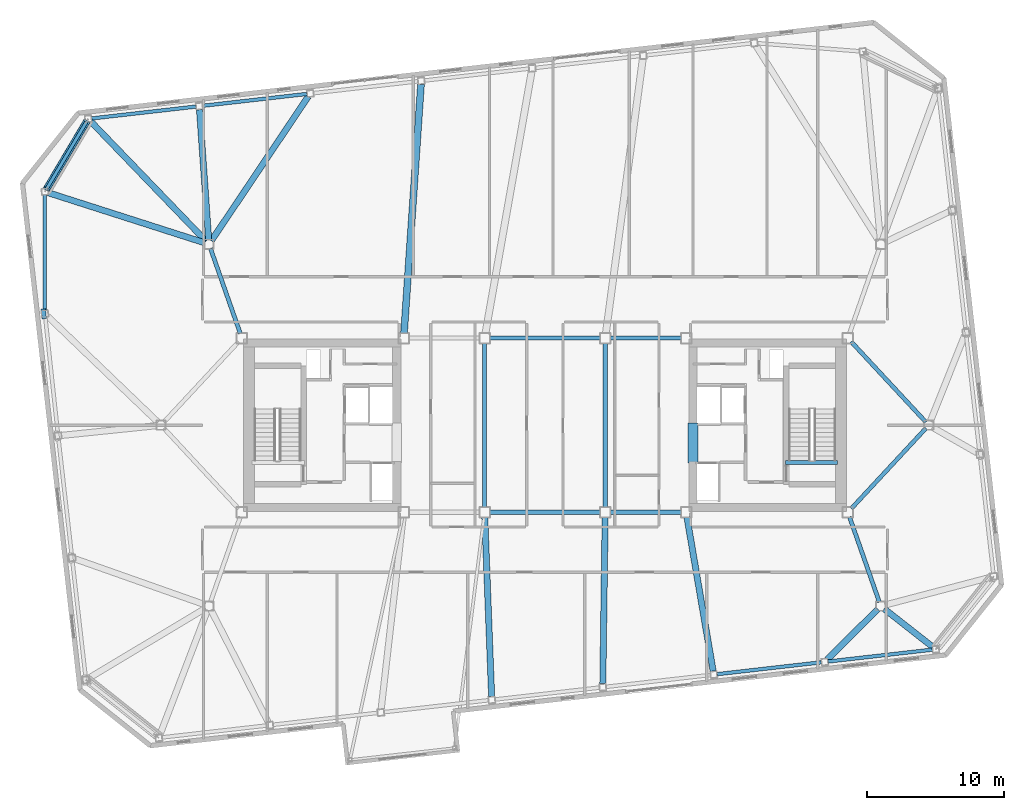
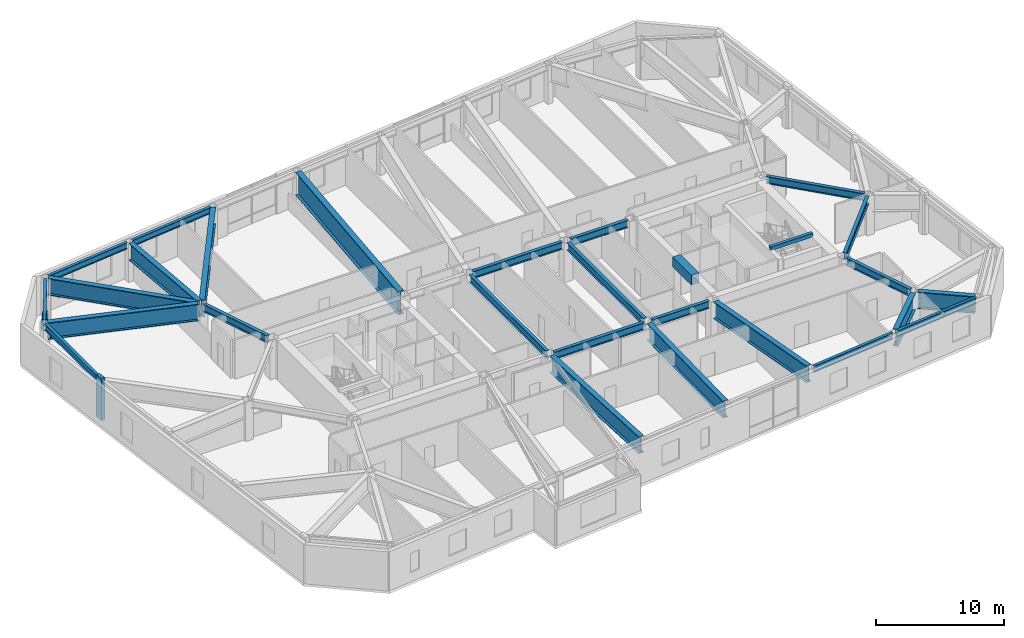
# One storey, part 6 of 18: 28 beams, 2 members.
"""IFC4 building model written with IfcOpenShell, lengths in metres."""

import ifcopenshell
import ifcopenshell.guid

model = None  # the IFC model being written
_history = None  # IfcOwnerHistory: only IFC2X3 demands one
_inside = {}  # id of a spatial element -> (the spatial element, [elements in it])
_under = {}  # id of a project, library or spatial element -> (it, [spatial elements below it])
_declared = {}  # id of a project -> (the project, [libraries it declares])
_typed = {}  # id of a type object -> (the type object, [elements of that type])
_made_of = {}  # id of a material, layer set ... -> (it, [elements and type objects made of it])


def new_model(schema):
    """Start an empty IFC model of exactly this schema.

    Asked for "IFC4X3", IfcOpenShell would pick the latest addendum, in which some entities
    have other attributes; the version numbers below select the first issue.
    IFC2X3 requires an IfcOwnerHistory on every rooted entity: one is made here for all.
    """
    global model, _history
    if schema == "IFC4X3":
        model = ifcopenshell.file(schema_version=(4, 3, 0, 0))
    else:
        model = ifcopenshell.file(schema=schema)
    _inside.clear()
    _under.clear()
    _declared.clear()
    _typed.clear()
    _made_of.clear()
    _history = None
    if model.schema == "IFC2X3":
        org = make("IfcOrganization", Name="unknown")
        user = make(
            "IfcPersonAndOrganization",
            ThePerson=make("IfcPerson", FamilyName="unknown"),
            TheOrganization=org,
        )
        app = make(
            "IfcApplication",
            ApplicationDeveloper=org,
            Version="unknown",
            ApplicationFullName="unknown",
            ApplicationIdentifier="unknown",
        )
        _history = make(
            "IfcOwnerHistory",
            OwningUser=user,
            OwningApplication=app,
            ChangeAction="ADDED",
            CreationDate=0,
        )
    return model


def make(cls, **values):
    """One entity of the class cls with the attributes given. An attribute that is None is left unset."""
    return model.create_entity(
        cls, **{name: value for name, value in values.items() if value is not None}
    )


def rooted(cls, **values):
    """An entity with a GlobalId (a new one), such as an element, a storey or a relation."""
    return make(cls, GlobalId=ifcopenshell.guid.new(), OwnerHistory=_history, **values)


def si_unit(unit_type, name, prefix=None):
    """IfcSIUnit, for example si_unit("LENGTHUNIT", "METRE", prefix="MILLI")."""
    return make("IfcSIUnit", UnitType=unit_type, Prefix=prefix, Name=name)


def assignment(units):
    """IfcUnitAssignment: the units of a project."""
    return None if units is None else make("IfcUnitAssignment", Units=units)


def point(xyz):
    """IfcCartesianPoint."""
    return None if xyz is None else make("IfcCartesianPoint", Coordinates=xyz)


def direction(xyz):
    """IfcDirection."""
    return None if xyz is None else make("IfcDirection", DirectionRatios=xyz)


def frame(location, z_axis=None, x_axis=None):
    """IfcAxis2Placement3D, a coordinate frame: its origin and axes. An axis left out is left unset."""
    return make(
        "IfcAxis2Placement3D",
        Location=point(location),
        Axis=direction(z_axis),
        RefDirection=direction(x_axis),
    )


def frame_2d(location, x_axis=None):
    """IfcAxis2Placement2D, a coordinate frame in the plane: its origin and x axis."""
    return make(
        "IfcAxis2Placement2D", Location=point(location), RefDirection=direction(x_axis)
    )


def origin():
    """The frame at (0, 0, 0) with its axes left unset."""
    return frame((0.0, 0.0, 0.0))


def origin_2d():
    """The frame at (0, 0) in the plane with its x axis left unset."""
    return frame_2d((0.0, 0.0))


def place(relative_to, where):
    """IfcLocalPlacement: puts the frame where relative to a parent placement (None: the world)."""
    return make(
        "IfcLocalPlacement", PlacementRelTo=relative_to, RelativePlacement=where
    )


def context(
    kind, dimensions, precision=None, world=None, true_north=None, identifier=None
):
    """IfcGeometricRepresentationContext, for example the 3D "Model" context."""
    return make(
        "IfcGeometricRepresentationContext",
        ContextIdentifier=identifier,
        ContextType=kind,
        CoordinateSpaceDimension=dimensions,
        Precision=precision,
        WorldCoordinateSystem=world,
        TrueNorth=true_north,
    )


def subcontext(parent, identifier, kind, view, scale=None):
    """IfcGeometricRepresentationSubContext, for example "Body" below "Model"."""
    return make(
        "IfcGeometricRepresentationSubContext",
        ContextIdentifier=identifier,
        ContextType=kind,
        ParentContext=parent,
        TargetScale=scale,
        TargetView=view,
    )


def project(units=None, contexts=None):
    """IfcProject with its units and contexts."""
    return rooted(
        "IfcProject",
        Name="project",
        RepresentationContexts=contexts,
        UnitsInContext=assignment(units),
    )


def spatial(cls, under=None, at=None, **own):
    """A site, building, storey or space (cls), placed at a placement, below another one or the project."""
    s = rooted(cls, ObjectPlacement=at, **own)
    if under is not None:
        _under.setdefault(under.id(), (under, []))[1].append(s)
    return s


def profile(cls, at=None, kind="AREA", **sizes):
    """A parametric profile (cls). Its sizes go by their IFC names, for example OverallWidth=200.0."""
    return make(cls, ProfileType=kind, Position=at, **sizes)


def rectangle(**sizes):
    """IfcRectangleProfileDef."""
    return profile("IfcRectangleProfileDef", **sizes)


def hollow_circle(**sizes):
    """IfcCircleHollowProfileDef."""
    return profile("IfcCircleHollowProfileDef", **sizes)


def i_section(**sizes):
    """IfcIShapeProfileDef."""
    return profile("IfcIShapeProfileDef", **sizes)


def extrude(swept, where, along, depth):
    """IfcExtrudedAreaSolid: the profile swept, set in the frame where, extruded along a direction by depth."""
    return make(
        "IfcExtrudedAreaSolid",
        SweptArea=swept,
        Position=where,
        ExtrudedDirection=direction(along),
        Depth=depth,
    )


def shape(context_of_items, identifier, shape_type, items):
    """IfcShapeRepresentation: the items that make up one representation, for example the "Body"."""
    return make(
        "IfcShapeRepresentation",
        ContextOfItems=context_of_items,
        RepresentationIdentifier=identifier,
        RepresentationType=shape_type,
        Items=items,
    )


def material(Name=None, Category=None):
    """IfcMaterial."""
    return make("IfcMaterial", Name=Name, Category=Category)


def material_profile(
    of_material, cross_section, Name=None, Category=None, Priority=None
):
    """IfcMaterialProfile: a cross section and its material."""
    return make(
        "IfcMaterialProfile",
        Name=Name,
        Material=of_material,
        Profile=cross_section,
        Priority=Priority,
        Category=Category,
    )


def profile_set(profiles, Name=None, composite=None):
    """IfcMaterialProfileSet."""
    return make(
        "IfcMaterialProfileSet",
        Name=Name,
        MaterialProfiles=profiles,
        CompositeProfile=composite,
    )


def made_of(thing, what):
    """Note that an element or type object is made of a material, layer set ...; save() writes the relation."""
    if what is not None:
        _made_of.setdefault(what.id(), (what, []))[1].append(thing)
    return thing


def type_object(cls, material=None, **own):
    """A type object (cls), such as IfcWallType, which elements share."""
    return made_of(rooted(cls, **own), material)


def element(
    cls,
    number,
    at=None,
    inside=None,
    cuts=None,
    type_object=None,
    material=None,
    context=None,
    identifier="Body",
    shape_type=None,
    held_by="IfcProductDefinitionShape",
    body=None,
    shapes=None,
    **own,
):
    """One element of the class cls, such as IfcWall. Its Tag is "e" and its number.

    at: its placement. inside: the storey or other place that contains it. cuts: it is an
    opening in that element (IfcRelVoidsElement). A single representation is given by context,
    identifier, shape_type and body (its items); several are given by shapes. held_by: the class
    of the entity that holds the representations. save() writes the other relations.
    """
    e = rooted(cls, Tag="e%d" % number, ObjectPlacement=at, **own)
    if body is not None:
        shapes = [shape(context, identifier, shape_type, body)]
    if shapes is not None:
        e.Representation = make(held_by, Representations=shapes)
    if inside is not None:
        _inside.setdefault(inside.id(), (inside, []))[1].append(e)
    if cuts is not None:
        rooted(
            "IfcRelVoidsElement", RelatingBuildingElement=cuts, RelatedOpeningElement=e
        )
    if type_object is not None:
        _typed.setdefault(type_object.id(), (type_object, []))[1].append(e)
    return made_of(e, material)


def aggregate(whole, parts):
    """IfcRelAggregates: a whole, such as a stair, and the parts it consists of."""
    return rooted("IfcRelAggregates", RelatingObject=whole, RelatedObjects=parts)


def save(model, path):
    """Write the relations noted so far, then the file.

    IfcRelAggregates (storeys below a building ...), IfcRelContainedInSpatialStructure (elements
    in a storey), IfcRelDefinesByType, IfcRelAssociatesMaterial and IfcRelDeclares: one each for
    every whole, place, type object, material and project.
    """
    for whole, parts in _under.values():
        aggregate(whole, parts)
    for where, things in _inside.values():
        rooted(
            "IfcRelContainedInSpatialStructure",
            RelatedElements=things,
            RelatingStructure=where,
        )
    for kind, things in _typed.values():
        rooted("IfcRelDefinesByType", RelatedObjects=things, RelatingType=kind)
    for what, things in _made_of.values():
        rooted("IfcRelAssociatesMaterial", RelatedObjects=things, RelatingMaterial=what)
    for by, libraries in _declared.values():
        rooted("IfcRelDeclares", RelatingContext=by, RelatedDefinitions=libraries)
    model.write(path)


model = new_model("IFC4")

# Units and contexts
model_context = context("Model", 3, precision=1e-05, world=origin(), true_north=direction((0.0, 1.0)))
body_context = subcontext(model_context, "Body", "Model", "MODEL_VIEW")
ifc_project = project(units=[si_unit("LENGTHUNIT", "METRE"), si_unit("AREAUNIT", "SQUARE_METRE"), si_unit("VOLUMEUNIT", "CUBIC_METRE"), si_unit("PLANEANGLEUNIT", "RADIAN"), si_unit("MASSUNIT", "GRAM", prefix="KILO")], contexts=[model_context])

# Site, building, storey
site_placement = place(None, origin())
site = spatial("IfcSite", under=ifc_project, at=site_placement, CompositionType="ELEMENT")
building_placement = place(site_placement, origin())
building = spatial("IfcBuilding", under=site, at=building_placement, Name="Tavrogorsk Clinical Tower", CompositionType="ELEMENT")
storey_placement = place(building_placement, frame((0.0, 0.0, 226.199951171875)))
storey = spatial("IfcBuildingStorey", under=building, at=storey_placement, Name="L52", CompositionType="ELEMENT", Elevation=226.199951171875)

# Beam
ifc_material_1 = material(Name="Concrete B80", Category="concrete")
ifc_material_profile_1 = material_profile(ifc_material_1, rectangle(XDim=0.699951171875, YDim=0.949951171875, at=origin_2d()), Name="RC-CB-700x950")
ifc_profile_set_1 = profile_set([ifc_material_profile_1], Name="Concrete B80")
beam_type_1 = type_object("IfcBeamType", Name="CouplingBeam_RC700x950", PredefinedType="LINTEL", material=ifc_profile_set_1)
beam_1_placement = place(storey_placement, frame((10.800048828125, -2.75, 3.26513671875), z_axis=(0.0, 1.0, 0.0), x_axis=(-1.0, 0.0, 0.0)))
element("IfcBeam", 1, at=beam_1_placement, inside=storey, type_object=beam_type_1, Name="L52 Core East Coupling Beam", PredefinedType="LINTEL", context=body_context, shape_type="SweptSolid", body=[
    extrude(rectangle(XDim=0.699951171875, YDim=0.949951171875, at=origin_2d()), origin(), (0.0, 0.0, 1.0), 2.89990234375),
])

# Members
ifc_material_2 = material(Name="Structural steel S440", Category="steel")
ifc_material_profile_2 = material_profile(ifc_material_2, hollow_circle(Radius=0.25390625, WallThickness=0.02001953125, at=origin_2d()), Name="CHS-508x20")
ifc_profile_set_2 = profile_set([ifc_material_profile_2], Name="Structural steel S440")
member_type_1 = type_object("IfcMemberType", Name="ExoBrace_CHS508", PredefinedType="BRACE", material=ifc_profile_set_2)
member_1_placement = place(storey_placement, frame((-33.428955078125, 22.143310546875, 0.40625), z_axis=(-0.466115044739, -0.783286774864, 0.411337566228), x_axis=(0.859354157364, -0.511380907173, 0.0)))
element("IfcMember", 2, at=member_1_placement, inside=storey, type_object=member_type_1, Name="L52 Corner Exoskeleton Brace N8-W1", PredefinedType="BRACE", context=body_context, shape_type="SweptSolid", body=[
    extrude(hollow_circle(Radius=0.25390625, WallThickness=0.02001953125, at=origin_2d()), origin(), (0.0, 0.0, 1.0), 6.266357421875),
])
ifc_material_3 = material(Name="Precast concrete B45 with limestone cladding", Category="masonry")
ifc_material_profile_3 = material_profile(ifc_material_3, rectangle(XDim=0.320068359375, YDim=0.719970703125, at=origin_2d()), Name="LIMESTONE-FIN-320x720")
ifc_profile_set_3 = profile_set([ifc_material_profile_3], Name="Precast concrete B45 with limestone cladding")
member_type_2 = type_object("IfcMemberType", Name="LimestonePleatFin_320x720", PredefinedType="USERDEFINED", material=ifc_profile_set_3)
member_2_placement = place(storey_placement, frame((-36.549560546875, 8.121337890625, 0.0), z_axis=(0.0, 0.0, 1.0), x_axis=(0.993571855677, 0.113203213768, 0.0)))
element("IfcMember", 3, at=member_2_placement, inside=storey, type_object=member_type_2, Name="L52 W Pleated Stone Fin 1", ObjectType="FIN", PredefinedType="USERDEFINED", context=body_context, shape_type="SweptSolid", body=[
    extrude(rectangle(XDim=0.320068359375, YDim=0.719970703125, at=origin_2d()), origin(), (0.0, 0.0, 1.0), 4.0),
])

# Beams
ifc_material_4 = material(Name="Structural steel S390", Category="steel")
ifc_material_profile_4 = material_profile(ifc_material_4, i_section(OverallWidth=0.300048828125, OverallDepth=0.699951171875, WebThickness=0.01708984375, FlangeThickness=0.028076171875, at=origin_2d()), Name="B-700x300x17x28")
ifc_profile_set_4 = profile_set([ifc_material_profile_4], Name="Structural steel S390")
beam_type_2 = type_object("IfcBeamType", Name="PrimaryGirder_B700", PredefinedType="USERDEFINED", material=ifc_profile_set_4)
for number, where, z_axis, x_axis, name in (
    (4, (-4.0400390625, -6.35009765625, 3.39013671875), (1.0, 0.0, 0.0), (0.0, 1.0, 0.0), "L52 Primary Spine Girder MG-03"),
    (5, (-4.0400390625, 6.35009765625, 3.39013671875), (1.0, 0.0, 0.0), (0.0, 1.0, 0.0), "L52 Primary Spine Girder MG-04"),
):
    element("IfcBeam", number, at=place(storey_placement, frame(where, z_axis=z_axis, x_axis=x_axis)), inside=storey, type_object=beam_type_2, Name=name, ObjectType="GIRDER", PredefinedType="USERDEFINED", context=body_context, shape_type="SweptSolid", body=[
        extrude(i_section(OverallWidth=0.300048828125, OverallDepth=0.699951171875, WebThickness=0.01708984375, FlangeThickness=0.028076171875, at=origin_2d()), origin(), (0.0, 0.0, 1.0), 8.080078125),
    ])
for number, where, z_axis, x_axis, name in (
    (6, (4.760009765625, -6.35009765625, 3.39013671875), (1.0, 0.0, 0.0), (0.0, 1.0, 0.0), "L52 Primary Spine Girder MG-05"),
    (7, (4.760009765625, 6.35009765625, 3.39013671875), (1.0, 0.0, 0.0), (0.0, 1.0, 0.0), "L52 Primary Spine Girder MG-06"),
):
    element("IfcBeam", number, at=place(storey_placement, frame(where, z_axis=z_axis, x_axis=x_axis)), inside=storey, type_object=beam_type_2, Name=name, ObjectType="GIRDER", PredefinedType="USERDEFINED", context=body_context, shape_type="SweptSolid", body=[
        extrude(i_section(OverallWidth=0.300048828125, OverallDepth=0.699951171875, WebThickness=0.01708984375, FlangeThickness=0.028076171875, at=origin_2d()), origin(), (0.0, 0.0, 1.0), 5.179931640625),
    ])
for number, where, z_axis, x_axis, name in (
    (8, (-4.39990234375, -5.989990234375, 3.39013671875), (0.0, 1.0, 0.0), (-1.0, 0.0, 0.0), "L52 Primary Spine Girder MG-07"),
    (9, (4.39990234375, -5.989990234375, 3.39013671875), (0.0, 1.0, 0.0), (-1.0, 0.0, 0.0), "L52 Primary Spine Girder MG-08"),
):
    element("IfcBeam", number, at=place(storey_placement, frame(where, z_axis=z_axis, x_axis=x_axis)), inside=storey, type_object=beam_type_2, Name=name, ObjectType="GIRDER", PredefinedType="USERDEFINED", context=body_context, shape_type="SweptSolid", body=[
        extrude(i_section(OverallWidth=0.300048828125, OverallDepth=0.699951171875, WebThickness=0.01708984375, FlangeThickness=0.028076171875, at=origin_2d()), origin(), (0.0, 0.0, 1.0), 11.97998046875),
    ])
for number, where, z_axis, x_axis, name in (
    (10, (24.3974609375, -12.907470703125, 3.39013671875), (-0.330654121425, 0.943752007672, 0.0), (-0.943752007672, -0.330654121425, 0.0), "L52 Spine Link Girder OPG-2"),
    (11, (-24.3974609375, 12.907470703125, 3.39013671875), (0.330654121425, -0.943752007672, 0.0), (0.943752007672, 0.330654121425, 0.0), "L52 Spine Link Girder OPG-3"),
):
    element("IfcBeam", number, at=place(storey_placement, frame(where, z_axis=z_axis, x_axis=x_axis)), inside=storey, type_object=beam_type_2, Name=name, ObjectType="GIRDER", PredefinedType="USERDEFINED", context=body_context, shape_type="SweptSolid", body=[
        extrude(i_section(OverallWidth=0.300048828125, OverallDepth=0.699951171875, WebThickness=0.01708984375, FlangeThickness=0.028076171875, at=origin_2d()), origin(), (0.0, 0.0, 1.0), 6.58837890625),
    ])
for number, where, z_axis, x_axis, name in (
    (12, (27.7890625, -0.22705078125, 3.39013671875), (-0.680684060959, -0.732577101168, 0.0), (0.732577101168, -0.680684060959, 0.0), "L52 Spine Link Girder OPG-7"),
    (13, (27.7890625, 0.22705078125, 3.39013671875), (-0.680684060959, 0.732577101168, 0.0), (-0.732577101168, -0.680684060959, 0.0), "L52 Spine Link Girder OPG-8"),
):
    element("IfcBeam", number, at=place(storey_placement, frame(where, z_axis=z_axis, x_axis=x_axis)), inside=storey, type_object=beam_type_2, Name=name, ObjectType="GIRDER", PredefinedType="USERDEFINED", context=body_context, shape_type="SweptSolid", body=[
        extrude(i_section(OverallWidth=0.300048828125, OverallDepth=0.699951171875, WebThickness=0.01708984375, FlangeThickness=0.028076171875, at=origin_2d()), origin(), (0.0, 0.0, 1.0), 7.998046875),
    ])
ifc_material_5 = material(Name="Structural steel S390", Category="steel")
ifc_material_profile_5 = material_profile(ifc_material_5, i_section(OverallWidth=0.260009765625, OverallDepth=0.60009765625, WebThickness=0.014892578125, FlangeThickness=0.02392578125, at=origin_2d()), Name="B-600x260x15x24")
ifc_profile_set_5 = profile_set([ifc_material_profile_5], Name="Structural steel S390")
beam_type_3 = type_object("IfcBeamType", Name="SpandrelBeam_B600", PredefinedType="SPANDREL", material=ifc_profile_set_5)
beam_2_placement = place(storey_placement, frame((12.57275390625, -18.1611328125, 3.43994140625), z_axis=(0.993571689921, 0.113204668576, 0.0), x_axis=(-0.113204668576, 0.993571689921, 0.0)))
element("IfcBeam", 14, at=beam_2_placement, inside=storey, type_object=beam_type_3, Name="L52 Perimeter Spandrel S6-S7", PredefinedType="SPANDREL", context=body_context, shape_type="SweptSolid", body=[
    extrude(i_section(OverallWidth=0.260009765625, OverallDepth=0.60009765625, WebThickness=0.014892578125, FlangeThickness=0.02392578125, at=origin_2d()), origin(), (0.0, 0.0, 1.0), 7.63232421875),
])
for number, where, z_axis, x_axis, name in (
    (15, (20.668701171875, -17.238525390625, 3.43994140625), (0.993572099834, 0.113201070804, 0.0), (-0.113201070804, 0.993572099834, 0.0), "L52 Perimeter Spandrel S7-S8"),
    (16, (-17.37255859375, 24.1611328125, 3.43994140625), (-0.993572099834, -0.113201070804, 0.0), (0.113201070804, -0.993572099834, 0.0), "L52 Perimeter Spandrel N6-N7"),
    (17, (-25.46875, 23.238525390625, 3.43994140625), (-0.993572099834, -0.113201070804, 0.0), (0.113201070804, -0.993572099834, 0.0), "L52 Perimeter Spandrel N7-N8"),
):
    element("IfcBeam", number, at=place(storey_placement, frame(where, z_axis=z_axis, x_axis=x_axis)), inside=storey, type_object=beam_type_3, Name=name, PredefinedType="SPANDREL", context=body_context, shape_type="SweptSolid", body=[
        extrude(i_section(OverallWidth=0.260009765625, OverallDepth=0.60009765625, WebThickness=0.014892578125, FlangeThickness=0.02392578125, at=origin_2d()), origin(), (0.0, 0.0, 1.0), 7.632568359375),
    ])
beam_3_placement = place(storey_placement, frame((-33.4404296875, 22.123779296875, 3.43994140625), z_axis=(-0.51140659222, -0.859338872293, 0.0), x_axis=(0.859338872293, -0.51140659222, 0.0)))
element("IfcBeam", 18, at=beam_3_placement, inside=storey, type_object=beam_type_3, Name="L52 Perimeter Spandrel N8-W1", PredefinedType="SPANDREL", context=body_context, shape_type="SweptSolid", body=[
    extrude(i_section(OverallWidth=0.260009765625, OverallDepth=0.60009765625, WebThickness=0.014892578125, FlangeThickness=0.02392578125, at=origin_2d()), origin(), (0.0, 0.0, 1.0), 5.666259765625),
])
beam_4_placement = place(storey_placement, frame((-36.469970703125, 16.77490234375, 3.43994140625), z_axis=(0.0, -1.0, 0.0), x_axis=(1.0, 0.0, 0.0)))
element("IfcBeam", 19, at=beam_4_placement, inside=storey, type_object=beam_type_3, Name="L52 Perimeter Spandrel W1-W2", PredefinedType="SPANDREL", context=body_context, shape_type="SweptSolid", body=[
    extrude(i_section(OverallWidth=0.260009765625, OverallDepth=0.60009765625, WebThickness=0.014892578125, FlangeThickness=0.02392578125, at=origin_2d()), origin(), (0.0, 0.0, 1.0), 8.386474609375),
])
ifc_material_6 = material(Name="Concrete B60", Category="concrete")
ifc_material_profile_6 = material_profile(ifc_material_6, rectangle(XDim=0.300048828125, YDim=0.35009765625, at=origin_2d()), Name="RC-SHB-300x350")
ifc_profile_set_6 = profile_set([ifc_material_profile_6], Name="Concrete B60")
beam_type_4 = type_object("IfcBeamType", Name="StairHeaderBeam_RC300x350", PredefinedType="BEAM", material=ifc_profile_set_6)
beam_5_placement = place(storey_placement, frame((17.550048828125, -2.719970703125, 3.824951171875), z_axis=(1.0, 0.0, 0.0), x_axis=(0.0, 1.0, 0.0)))
element("IfcBeam", 20, at=beam_5_placement, inside=storey, type_object=beam_type_4, Name="L53 ST-E Landing Header Beam", PredefinedType="BEAM", context=body_context, shape_type="SweptSolid", body=[
    extrude(rectangle(XDim=0.300048828125, YDim=0.35009765625, at=origin_2d()), origin(), (0.0, 0.0, 1.0), 3.800048828125),
])
ifc_material_7 = material(Name="Structural steel S440", Category="steel")
ifc_material_profile_7 = material_profile(ifc_material_7, i_section(OverallWidth=0.449951171875, OverallDepth=1.60009765625, WebThickness=0.031982421875, FlangeThickness=0.050048828125, at=origin_2d()), Name="DK-1600x450x32x50")
ifc_profile_set_7 = profile_set([ifc_material_profile_7], Name="Structural steel S440")
beam_type_5 = type_object("IfcBeamType", Name="TransferGirder_DK1600", PredefinedType="USERDEFINED", material=ifc_profile_set_7)
beam_6_placement = place(storey_placement, frame((-4.38623046875, -6.709716796875, 2.93994140625), z_axis=(0.038253158264, -0.999268080088, 0.0), x_axis=(0.999268080088, 0.038253158264, 0.0)))
element("IfcBeam", 21, at=beam_6_placement, inside=storey, type_object=beam_type_5, Name="L52 Radial Floor Beam S4", ObjectType="GIRDER", PredefinedType="USERDEFINED", context=body_context, shape_type="SweptSolid", body=[
    extrude(i_section(OverallWidth=0.449951171875, OverallDepth=1.60009765625, WebThickness=0.031982421875, FlangeThickness=0.050048828125, at=origin_2d()), origin(), (0.0, 0.0, 1.0), 13.0771484375),
])
beam_7_placement = place(storey_placement, frame((4.39501953125, -6.7099609375, 2.93994140625), z_axis=(-0.014110566079, -0.999900441006, 0.0), x_axis=(0.999900441006, -0.014110566079, 0.0)))
element("IfcBeam", 22, at=beam_7_placement, inside=storey, type_object=beam_type_5, Name="L52 Radial Floor Beam S5", ObjectType="GIRDER", PredefinedType="USERDEFINED", context=body_context, shape_type="SweptSolid", body=[
    extrude(i_section(OverallWidth=0.449951171875, OverallDepth=1.60009765625, WebThickness=0.031982421875, FlangeThickness=0.050048828125, at=origin_2d()), origin(), (0.0, 0.0, 1.0), 12.14599609375),
])
beam_8_placement = place(storey_placement, frame((10.3603515625, -6.704833984375, 2.93994140625), z_axis=(0.167876447446, -0.98580804338, 0.0), x_axis=(0.98580804338, 0.167876447446, 0.0)))
element("IfcBeam", 23, at=beam_8_placement, inside=storey, type_object=beam_type_5, Name="L52 Radial Floor Beam S6", ObjectType="GIRDER", PredefinedType="USERDEFINED", context=body_context, shape_type="SweptSolid", body=[
    extrude(i_section(OverallWidth=0.449951171875, OverallDepth=1.60009765625, WebThickness=0.031982421875, FlangeThickness=0.050048828125, at=origin_2d()), origin(), (0.0, 0.0, 1.0), 11.392822265625),
])
beam_9_placement = place(storey_placement, frame((24.2802734375, -13.418701171875, 2.93994140625), z_axis=(-0.708842234901, -0.705367057652, 0.0), x_axis=(0.705367057652, -0.708842234901, 0.0)))
element("IfcBeam", 24, at=beam_9_placement, inside=storey, type_object=beam_type_5, Name="L52 Radial Floor Beam S7", ObjectType="GIRDER", PredefinedType="USERDEFINED", context=body_context, shape_type="SweptSolid", body=[
    extrude(i_section(OverallWidth=0.449951171875, OverallDepth=1.60009765625, WebThickness=0.031982421875, FlangeThickness=0.050048828125, at=origin_2d()), origin(), (0.0, 0.0, 1.0), 5.19873046875),
])
beam_10_placement = place(storey_placement, frame((24.743896484375, -13.391357421875, 2.93994140625), z_axis=(0.786731711527, -0.617295078611, 0.0), x_axis=(0.617295078611, 0.786731711527, 0.0)))
element("IfcBeam", 25, at=beam_10_placement, inside=storey, type_object=beam_type_5, Name="L52 Radial Floor Beam S8", ObjectType="GIRDER", PredefinedType="USERDEFINED", context=body_context, shape_type="SweptSolid", body=[
    extrude(i_section(OverallWidth=0.449951171875, OverallDepth=1.60009765625, WebThickness=0.031982421875, FlangeThickness=0.050048828125, at=origin_2d()), origin(), (0.0, 0.0, 1.0), 4.52734375),
])
beam_11_placement = place(storey_placement, frame((-24.3271484375, 13.457275390625, 2.93994140625), z_axis=(0.557666552953, 0.830065067159, 0.0), x_axis=(-0.830065067159, 0.557666552953, 0.0)))
element("IfcBeam", 26, at=beam_11_placement, inside=storey, type_object=beam_type_5, Name="L52 Radial Floor Beam N6", ObjectType="GIRDER", PredefinedType="USERDEFINED", context=body_context, shape_type="SweptSolid", body=[
    extrude(i_section(OverallWidth=0.449951171875, OverallDepth=1.60009765625, WebThickness=0.031982421875, FlangeThickness=0.050048828125, at=origin_2d()), origin(), (0.0, 0.0, 1.0), 12.67236328125),
])
beam_12_placement = place(storey_placement, frame((-24.52197265625, 13.50927734375, 2.93994140625), z_axis=(-0.070563956086, 0.997507257167, 0.0), x_axis=(-0.997507257167, -0.070563956086, 0.0)))
element("IfcBeam", 27, at=beam_12_placement, inside=storey, type_object=beam_type_5, Name="L52 Radial Floor Beam N7", ObjectType="GIRDER", PredefinedType="USERDEFINED", context=body_context, shape_type="SweptSolid", body=[
    extrude(i_section(OverallWidth=0.449951171875, OverallDepth=1.60009765625, WebThickness=0.031982421875, FlangeThickness=0.050048828125, at=origin_2d()), origin(), (0.0, 0.0, 1.0), 9.52490234375),
])
beam_13_placement = place(storey_placement, frame((-24.715087890625, 13.42333984375, 2.93994140625), z_axis=(-0.69371826835, 0.720246460704, 0.0), x_axis=(-0.720246460704, -0.69371826835, 0.0)))
element("IfcBeam", 28, at=beam_13_placement, inside=storey, type_object=beam_type_5, Name="L52 Radial Floor Beam N8", ObjectType="GIRDER", PredefinedType="USERDEFINED", context=body_context, shape_type="SweptSolid", body=[
    extrude(i_section(OverallWidth=0.449951171875, OverallDepth=1.60009765625, WebThickness=0.031982421875, FlangeThickness=0.050048828125, at=origin_2d()), origin(), (0.0, 0.0, 1.0), 12.129638671875),
])
beam_14_placement = place(storey_placement, frame((-24.795166015625, 13.29443359375, 2.93994140625), z_axis=(-0.952367912824, 0.304951403709, 0.0), x_axis=(-0.304951403709, -0.952367912824, 0.0)))
element("IfcBeam", 29, at=beam_14_placement, inside=storey, type_object=beam_type_5, Name="L52 Radial Floor Beam W1", ObjectType="GIRDER", PredefinedType="USERDEFINED", context=body_context, shape_type="SweptSolid", body=[
    extrude(i_section(OverallWidth=0.449951171875, OverallDepth=1.60009765625, WebThickness=0.031982421875, FlangeThickness=0.050048828125, at=origin_2d()), origin(), (0.0, 0.0, 1.0), 12.000732421875),
])
ifc_material_8 = material(Name="Structural steel S440", Category="steel")
ifc_material_profile_8 = material_profile(ifc_material_8, i_section(OverallWidth=0.5, OverallDepth=2.199951171875, WebThickness=0.035888671875, FlangeThickness=0.054931640625, at=origin_2d()), Name="DK-2200x500x36x55")
ifc_profile_set_8 = profile_set([ifc_material_profile_8], Name="Structural steel S440")
beam_type_6 = type_object("IfcBeamType", Name="TransferGirder_DK2200", PredefinedType="USERDEFINED", material=ifc_profile_set_8)
beam_15_placement = place(storey_placement, frame((-10.275390625, 6.709228515625, 2.64013671875), z_axis=(0.068054861188, 0.9976815804, 0.0), x_axis=(-0.9976815804, 0.068054861188, 0.0)))
element("IfcBeam", 30, at=beam_15_placement, inside=storey, type_object=beam_type_6, Name="L52 Radial Floor Beam N5", ObjectType="GIRDER", PredefinedType="USERDEFINED", context=body_context, shape_type="SweptSolid", body=[
    extrude(i_section(OverallWidth=0.5, OverallDepth=2.199951171875, WebThickness=0.035888671875, FlangeThickness=0.054931640625, at=origin_2d()), origin(), (0.0, 0.0, 1.0), 18.188232421875),
])

save(model, "model.ifc")
